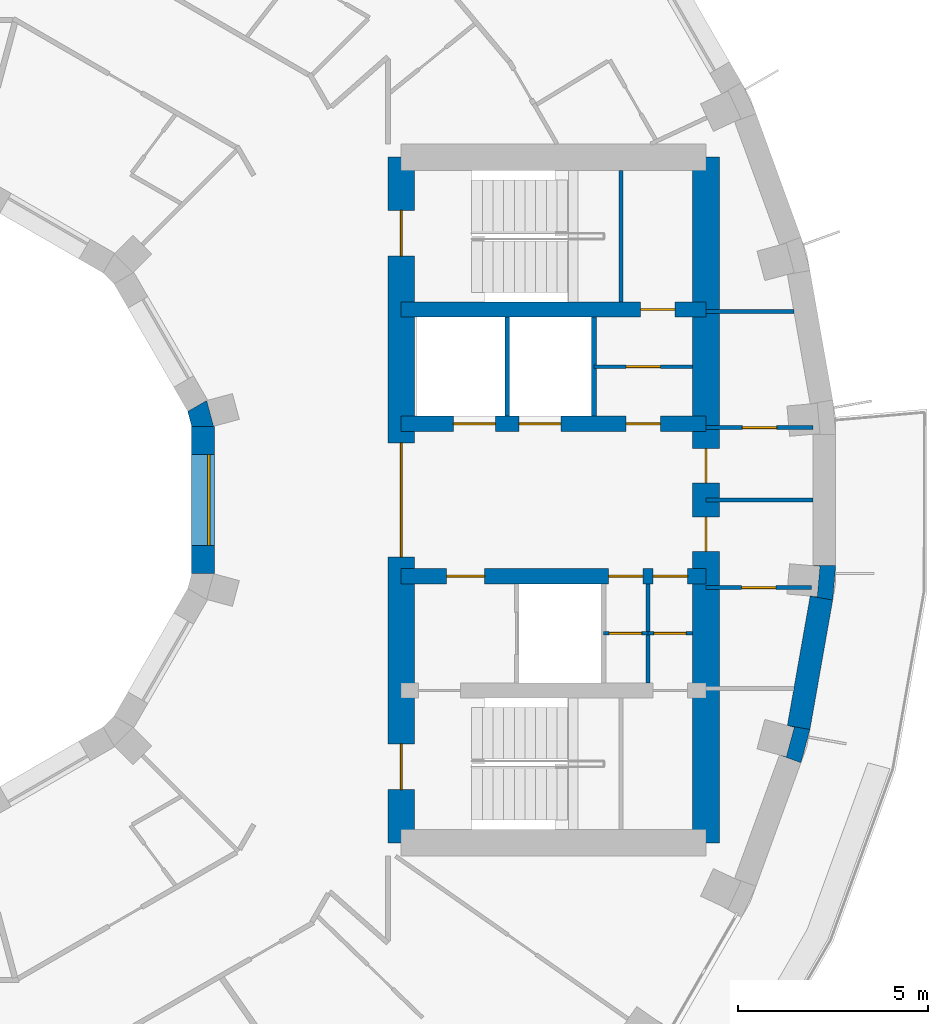
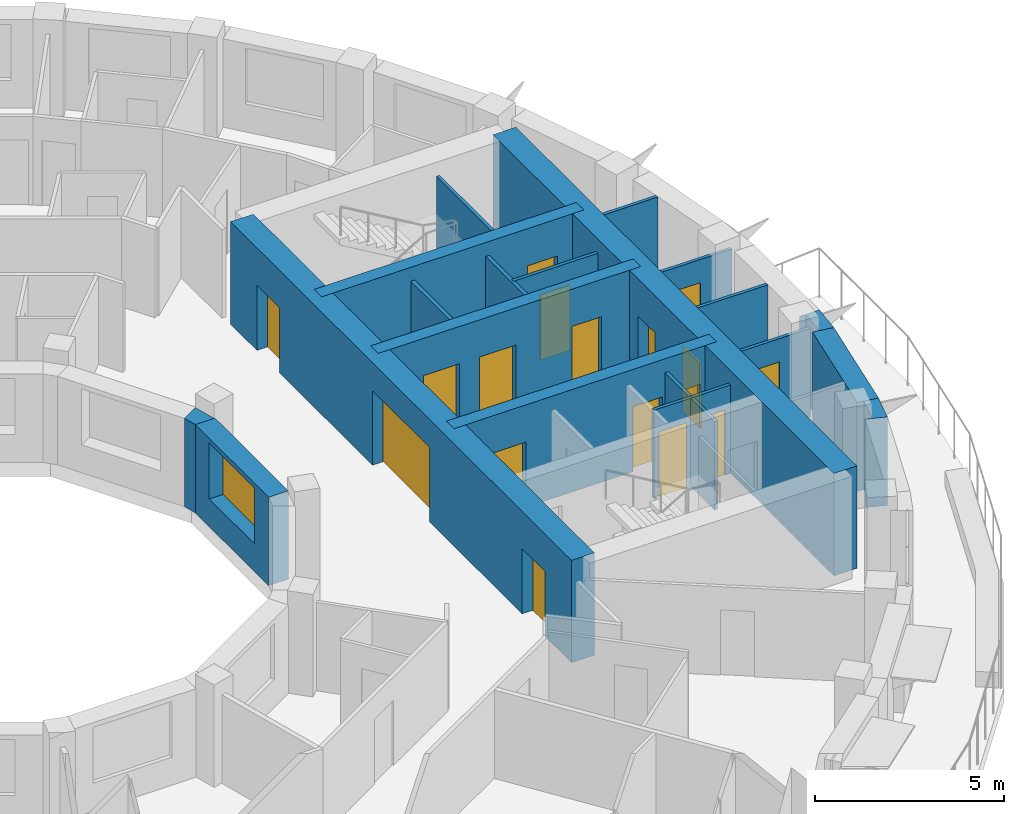
# One storey, part 9 of 14: 21 walls, 17 doors, 1 window, 18 openings.
"""IFC4 building model written with IfcOpenShell, lengths in metres."""

from ifc_helpers import new_model, si_unit, direction, frame, frame_2d, origin, place, context, subcontext, project, spatial, polyline, rectangle, outline, extrude, material, layer, layer_set, type_object, element, fill, save


model = new_model("IFC4")

# Units and contexts
model_context = context("Model", 3, precision=1e-05, world=origin(), true_north=direction((0.0, 1.0)))
body_context = subcontext(model_context, "Body", "Model", "MODEL_VIEW")
ifc_project = project(units=[si_unit("LENGTHUNIT", "METRE"), si_unit("AREAUNIT", "SQUARE_METRE"), si_unit("VOLUMEUNIT", "CUBIC_METRE"), si_unit("PLANEANGLEUNIT", "RADIAN"), si_unit("MASSUNIT", "GRAM", prefix="KILO")], contexts=[model_context])

# Site, building, storey
site_placement = place(None, origin())
site = spatial("IfcSite", under=ifc_project, at=site_placement, CompositionType="ELEMENT")
building_placement = place(site_placement, origin())
building = spatial("IfcBuilding", under=site, at=building_placement, Name="Saqina Gate Tower", CompositionType="ELEMENT")
storey_placement = place(building_placement, frame((0.0, 0.0, 177.300048828125)))
storey = spatial("IfcBuildingStorey", under=building, at=storey_placement, Name="L50", CompositionType="ELEMENT", Elevation=177.300048828125)

# Walls
ifc_material_1 = material(Name="Brick masonry (buff)", Category="masonry")
wall_type_1 = type_object("IfcWallType", Name="BRICK PIER COPING BUFF", PredefinedType="SOLIDWALL", material=ifc_material_1)
wall_1_placement = place(storey_placement, origin())
element("IfcWall", 1, at=wall_1_placement, inside=storey, type_object=wall_type_1, Name="Pier cap L50 column 35", PredefinedType="SOLIDWALL", context=body_context, shape_type="SweptSolid", body=[
    extrude(outline(polyline([(24.22705078125, -6.0234375), (23.635986328125, -5.919189453125), (23.81689453125, -5.967529296875), (23.610107421875, -6.740478515625), (23.428955078125, -6.69189453125), (23.992919921875, -6.897216796875), (24.22705078125, -6.0234375)])), origin(), (0.0, 0.0, 1.0), 2.849853515625),
])
wall_2_placement = place(storey_placement, origin())
element("IfcWall", 2, at=wall_2_placement, inside=storey, type_object=wall_type_1, Name="Pier cap L50 column 36", PredefinedType="SOLIDWALL", context=body_context, shape_type="SweptSolid", body=[
    extrude(outline(polyline([(24.825927734375, -2.6259765625), (24.90478515625, -1.724853515625), (24.304931640625, -1.724853515625), (24.491455078125, -1.7412109375), (24.421630859375, -2.5380859375), (24.235107421875, -2.521728515625), (24.825927734375, -2.6259765625)])), origin(), (0.0, 0.0, 1.0), 2.849853515625),
])
ifc_material_2 = material(Name="Gypsum board on steel studs", Category="steel")
ifc_layer_1 = layer(ifc_material_2, 0.10009765625)
ifc_layer_set_1 = layer_set([ifc_layer_1], Name="CORE PARTITION")
wall_type_2 = type_object("IfcWallType", Name="CORE PARTITION", PredefinedType="PARTITIONING", material=ifc_layer_set_1)
wall_3_placement = place(storey_placement, frame((21.5, 4.949951171875, 0.0), z_axis=(0.0, 0.0, 1.0), x_axis=(1.0, 0.0, 0.0)))
element("IfcWall", 3, at=wall_3_placement, inside=storey, type_object=wall_type_2, Name="L50-CP-E01", PredefinedType="PARTITIONING", context=body_context, shape_type="SweptSolid", body=[
    extrude(rectangle(XDim=2.306884765625, YDim=0.10009765625, at=frame_2d((1.1533203125, 0.0))), origin(), (0.0, 0.0, 1.0), 2.849853515625),
])

# Wall, opening, door
wall_4_placement = place(storey_placement, frame((21.5, 1.89990234375, 0.0), z_axis=(0.0, 0.0, 1.0), x_axis=(1.0, 0.0, 0.0)))
wall_4 = element("IfcWall", 4, at=wall_4_placement, inside=storey, type_object=wall_type_2, Name="L50-CP-E02", PredefinedType="PARTITIONING", context=body_context, shape_type="SweptSolid", body=[
    extrude(rectangle(XDim=2.804931640625, YDim=0.10009765625, at=frame_2d((1.40234375, 0.0))), origin(), (0.0, 0.0, 1.0), 2.849853515625),
])
opening_1_placement = place(wall_4_placement, frame((0.952392578125, 0.0, 0.0)))
opening_1 = element("IfcOpeningElement", 5, at=opening_1_placement, cuts=wall_4, Name="Opening G14-D94", PredefinedType="OPENING", context=body_context, shape_type="SweptSolid", body=[
    extrude(rectangle(XDim=0.89990234375, YDim=2.10009765625, at=frame_2d((0.449951171875, 1.050048828125))), frame((0.0, 0.06201171875, 0.0), z_axis=(0.0, -1.0, 0.0), x_axis=(1.0, 0.0, 0.0)), (0.0, 0.0, 1.0), 0.1240234375),
])
ifc_material_3 = material(Name="Steel-framed fire door leaf, EI 60", Category="steel")
door_type_1 = type_object("IfcDoorType", Name="SERVICE ROOM DOOR 900", OperationType="SINGLE_SWING_LEFT", PredefinedType="DOOR", material=ifc_material_3)
door_1_placement = place(opening_1_placement, origin())
door_1 = element("IfcDoor", 6, at=door_1_placement, inside=storey, type_object=door_type_1, Name="L50-CD-E05", OperationType="SINGLE_SWING_LEFT", OverallHeight=2.10009765625, OverallWidth=0.89990234375, PredefinedType="DOOR", context=body_context, shape_type="SweptSolid", body=[
    extrude(rectangle(XDim=0.89990234375, YDim=2.10009765625, at=frame_2d((0.449951171875, 1.050048828125))), frame((0.0, 0.02490234375, 0.0), z_axis=(0.0, -1.0, 0.0), x_axis=(1.0, 0.0, 0.0)), (0.0, 0.0, 1.0), 0.050048828125),
])
fill(opening_1, door_1)

wall_5_placement = place(storey_placement, frame((21.5, -2.300048828125, 0.0), z_axis=(0.0, 0.0, 1.0), x_axis=(1.0, 0.0, 0.0)))
wall_5 = element("IfcWall", 7, at=wall_5_placement, inside=storey, type_object=wall_type_2, Name="L50-CP-E04", PredefinedType="PARTITIONING", context=body_context, shape_type="SweptSolid", body=[
    extrude(rectangle(XDim=2.774169921875, YDim=0.10009765625, at=frame_2d((1.38720703125, 0.0))), origin(), (0.0, 0.0, 1.0), 2.849853515625),
])
opening_2_placement = place(wall_5_placement, frame((0.93701171875, 0.0, 0.0)))
opening_2 = element("IfcOpeningElement", 8, at=opening_2_placement, cuts=wall_5, Name="Opening G14-D96", PredefinedType="OPENING", context=body_context, shape_type="SweptSolid", body=[
    extrude(rectangle(XDim=0.89990234375, YDim=2.10009765625, at=frame_2d((0.449951171875, 1.050048828125))), frame((0.0, 0.06201171875, 0.0), z_axis=(0.0, -1.0, 0.0), x_axis=(1.0, 0.0, 0.0)), (0.0, 0.0, 1.0), 0.1240234375),
])
door_2_placement = place(opening_2_placement, frame((0.89990234375, 0.0, 0.0), z_axis=(0.0, 0.0, 1.0), x_axis=(-1.0, 0.0, 0.0)))
door_2 = element("IfcDoor", 9, at=door_2_placement, inside=storey, type_object=door_type_1, Name="L50-CD-E07", OperationType="SINGLE_SWING_RIGHT", OverallHeight=2.10009765625, OverallWidth=0.89990234375, PredefinedType="DOOR", context=body_context, shape_type="SweptSolid", body=[
    extrude(rectangle(XDim=0.89990234375, YDim=2.10009765625, at=frame_2d((0.449951171875, 1.050048828125))), frame((0.0, 0.02490234375, 0.0), z_axis=(0.0, -1.0, 0.0), x_axis=(1.0, 0.0, 0.0)), (0.0, 0.0, 1.0), 0.050048828125),
])
fill(opening_2, door_2)

# Walls
wall_6_placement = place(storey_placement, frame((21.5, 0.0, 0.0), z_axis=(0.0, 0.0, 1.0), x_axis=(1.0, 0.0, 0.0)))
element("IfcWall", 10, at=wall_6_placement, inside=storey, type_object=wall_type_2, Name="L50-CP-E05", PredefinedType="PARTITIONING", context=body_context, shape_type="SweptSolid", body=[
    extrude(rectangle(XDim=2.804931640625, YDim=0.10009765625, at=frame_2d((1.40234375, 0.0))), origin(), (0.0, 0.0, 1.0), 2.849853515625),
])
wall_7_placement = place(storey_placement, frame((19.97998046875, -4.800048828125, 0.0), z_axis=(0.0, 0.0, 1.0), x_axis=(0.0, 1.0, 0.0)))
element("IfcWall", 11, at=wall_7_placement, inside=storey, type_object=wall_type_2, Name="L50-CP-E10", PredefinedType="PARTITIONING", context=body_context, shape_type="SweptSolid", body=[
    extrude(rectangle(XDim=2.60009765625, YDim=0.10009765625, at=frame_2d((1.300048828125, 0.0))), origin(), (0.0, 0.0, 1.0), 2.849853515625),
])

# Wall, opening, door
wall_8_placement = place(storey_placement, frame((18.56005859375, 3.5, 0.0), z_axis=(0.0, 0.0, 1.0), x_axis=(1.0, 0.0, 0.0)))
wall_8 = element("IfcWall", 12, at=wall_8_placement, inside=storey, type_object=wall_type_2, Name="L50-CP-E11", PredefinedType="PARTITIONING", context=body_context, shape_type="SweptSolid", body=[
    extrude(rectangle(XDim=2.58984375, YDim=0.10009765625, at=frame_2d((1.294921875, 0.0))), origin(), (0.0, 0.0, 1.0), 2.849853515625),
])
opening_3_placement = place(wall_8_placement, frame((0.844970703125, 0.0, 0.0)))
opening_3 = element("IfcOpeningElement", 13, at=opening_3_placement, cuts=wall_8, Name="Opening G14-D98", PredefinedType="OPENING", context=body_context, shape_type="SweptSolid", body=[
    extrude(rectangle(XDim=0.89990234375, YDim=2.10009765625, at=frame_2d((0.449951171875, 1.050048828125))), frame((0.0, 0.06201171875, 0.0), z_axis=(0.0, -1.0, 0.0), x_axis=(1.0, 0.0, 0.0)), (0.0, 0.0, 1.0), 0.1240234375),
])
door_3_placement = place(opening_3_placement, origin())
door_3 = element("IfcDoor", 14, at=door_3_placement, inside=storey, type_object=door_type_1, Name="L50-CD-E09", OperationType="SINGLE_SWING_RIGHT", OverallHeight=2.10009765625, OverallWidth=0.89990234375, PredefinedType="DOOR", context=body_context, shape_type="SweptSolid", body=[
    extrude(rectangle(XDim=0.89990234375, YDim=2.10009765625, at=frame_2d((0.449951171875, 1.050048828125))), frame((0.0, 0.02490234375, 0.0), z_axis=(0.0, -1.0, 0.0), x_axis=(1.0, 0.0, 0.0)), (0.0, 0.0, 1.0), 0.050048828125),
])
fill(opening_3, door_3)

wall_9_placement = place(storey_placement, frame((18.81005859375, -3.5, 0.0), z_axis=(0.0, 0.0, 1.0), x_axis=(1.0, 0.0, 0.0)))
wall_9 = element("IfcWall", 15, at=wall_9_placement, inside=storey, type_object=wall_type_2, Name="L50-CP-E12", PredefinedType="PARTITIONING", context=body_context, shape_type="SweptSolid", body=[
    extrude(rectangle(XDim=1.169921875, YDim=0.10009765625, at=frame_2d((0.5849609375, 0.0))), origin(), (0.0, 0.0, 1.0), 2.849853515625),
])
opening_4_placement = place(wall_9_placement, frame((0.14990234375, 0.0, 0.0)))
opening_4 = element("IfcOpeningElement", 16, at=opening_4_placement, cuts=wall_9, Name="Opening G14-D100", PredefinedType="OPENING", context=body_context, shape_type="SweptSolid", body=[
    extrude(rectangle(XDim=0.85009765625, YDim=2.10009765625, at=frame_2d((0.425048828125, 1.050048828125))), frame((0.0, 0.06201171875, 0.0), z_axis=(0.0, -1.0, 0.0), x_axis=(1.0, 0.0, 0.0)), (0.0, 0.0, 1.0), 0.1240234375),
])
ifc_material_4 = material(Name="Steel-framed fire door leaf, EI 60", Category="steel")
door_type_2 = type_object("IfcDoorType", Name="SERVICE ROOM DOOR 850", OperationType="SINGLE_SWING_LEFT", PredefinedType="DOOR", material=ifc_material_4)
door_4_placement = place(opening_4_placement, frame((0.85009765625, 0.0, 0.0), z_axis=(0.0, 0.0, 1.0), x_axis=(-1.0, 0.0, 0.0)))
door_4 = element("IfcDoor", 17, at=door_4_placement, inside=storey, type_object=door_type_2, Name="L50-CD-E11", OperationType="SINGLE_SWING_RIGHT", OverallHeight=2.10009765625, OverallWidth=0.85009765625, PredefinedType="DOOR", context=body_context, shape_type="SweptSolid", body=[
    extrude(rectangle(XDim=0.85009765625, YDim=2.10009765625, at=frame_2d((0.425048828125, 1.050048828125))), frame((0.0, 0.02490234375, 0.0), z_axis=(0.0, -1.0, 0.0), x_axis=(1.0, 0.0, 0.0)), (0.0, 0.0, 1.0), 0.050048828125),
])
fill(opening_4, door_4)

wall_10_placement = place(storey_placement, frame((19.97998046875, -3.5, 0.0), z_axis=(0.0, 0.0, 1.0), x_axis=(1.0, 0.0, 0.0)))
wall_10 = element("IfcWall", 18, at=wall_10_placement, inside=storey, type_object=wall_type_2, Name="L50-CP-E13", PredefinedType="PARTITIONING", context=body_context, shape_type="SweptSolid", body=[
    extrude(rectangle(XDim=1.169921875, YDim=0.10009765625, at=frame_2d((0.5849609375, 0.0))), origin(), (0.0, 0.0, 1.0), 2.849853515625),
])
opening_5_placement = place(wall_10_placement, frame((0.14990234375, 0.0, 0.0)))
opening_5 = element("IfcOpeningElement", 19, at=opening_5_placement, cuts=wall_10, Name="Opening G14-D101", PredefinedType="OPENING", context=body_context, shape_type="SweptSolid", body=[
    extrude(rectangle(XDim=0.85009765625, YDim=2.10009765625, at=frame_2d((0.425048828125, 1.050048828125))), frame((0.0, 0.06201171875, 0.0), z_axis=(0.0, -1.0, 0.0), x_axis=(1.0, 0.0, 0.0)), (0.0, 0.0, 1.0), 0.1240234375),
])
door_5_placement = place(opening_5_placement, frame((0.85009765625, 0.0, 0.0), z_axis=(0.0, 0.0, 1.0), x_axis=(-1.0, 0.0, 0.0)))
door_5 = element("IfcDoor", 20, at=door_5_placement, inside=storey, type_object=door_type_2, Name="L50-CD-E12", OperationType="SINGLE_SWING_LEFT", OverallHeight=2.10009765625, OverallWidth=0.85009765625, PredefinedType="DOOR", context=body_context, shape_type="SweptSolid", body=[
    extrude(rectangle(XDim=0.85009765625, YDim=2.10009765625, at=frame_2d((0.425048828125, 1.050048828125))), frame((0.0, 0.02490234375, 0.0), z_axis=(0.0, -1.0, 0.0), x_axis=(1.0, 0.0, 0.0)), (0.0, 0.0, 1.0), 0.050048828125),
])
fill(opening_5, door_5)

# Wall
ifc_material_5 = material(Name="Glazed ceramic tile", Category="ceramic")
ifc_layer_2 = layer(ifc_material_5, 0.60009765625)
ifc_layer_set_2 = layer_set([ifc_layer_2], Name="FW-TILE")
wall_type_3 = type_object("IfcWallType", Name="FW-TILE", PredefinedType="SOLIDWALL", material=ifc_layer_set_2)
wall_11_placement = place(storey_placement, frame((23.931640625, -5.97119140625, 0.0), z_axis=(0.0, 0.0, 1.0), x_axis=(0.173607684551, 0.984814892183, 0.0)))
element("IfcWall", 21, at=wall_11_placement, inside=storey, type_object=wall_type_3, Name="Facade wall L50 facet 35", PredefinedType="SOLIDWALL", context=body_context, shape_type="SweptSolid", body=[
    extrude(rectangle(XDim=3.44970703125, YDim=0.60009765625, at=frame_2d((1.724853515625, 0.0))), origin(), (0.0, 0.0, 1.0), 2.849853515625),
])

# Wall, opening, window
ifc_material_6 = material(Name="Glazed ceramic tile", Category="ceramic")
ifc_layer_3 = layer(ifc_material_6, 0.60009765625)
ifc_layer_set_3 = layer_set([ifc_layer_3], Name="IW-TILE")
wall_type_4 = type_object("IfcWallType", Name="IW-TILE", PredefinedType="SOLIDWALL", material=ifc_layer_set_3)
wall_12_placement = place(storey_placement, frame((8.300048828125, -1.934814453125, 0.0), z_axis=(0.0, 0.0, 1.0), x_axis=(0.0, 1.0, 0.0)))
wall_12 = element("IfcWall", 22, at=wall_12_placement, inside=storey, type_object=wall_type_4, Name="Well wall L50 facet 12", PredefinedType="SOLIDWALL", context=body_context, shape_type="SweptSolid", body=[
    extrude(rectangle(XDim=3.86962890625, YDim=0.60009765625, at=frame_2d((1.934814453125, 0.0))), origin(), (0.0, 0.0, 1.0), 2.849853515625),
])
opening_6_placement = place(wall_12_placement, frame((0.73486328125, 0.0, 0.89990234375)))
opening_6 = element("IfcOpeningElement", 23, at=opening_6_placement, cuts=wall_12, Name="Opening G14-W35", PredefinedType="OPENING", context=body_context, shape_type="SweptSolid", body=[
    extrude(rectangle(XDim=2.39990234375, YDim=1.800048828125, at=frame_2d((1.199951171875, 0.89990234375))), frame((0.0, 0.31201171875, 0.0), z_axis=(0.0, -1.0, 0.0), x_axis=(1.0, 0.0, 0.0)), (0.0, 0.0, 1.0), 0.6240234375),
])
ifc_material_7 = material(Name="Aluminium glazing", Category="aluminium")
window_type = type_object("IfcWindowType", Name="WN-W", PartitioningType="SINGLE_PANEL", PredefinedType="WINDOW", material=ifc_material_7)
window_placement = place(opening_6_placement, origin())
window = element("IfcWindow", 24, at=window_placement, inside=storey, type_object=window_type, Name="Well window L50 facet 12", OverallHeight=1.800048828125, OverallWidth=2.39990234375, PartitioningType="SINGLE_PANEL", PredefinedType="WINDOW", context=body_context, shape_type="SweptSolid", body=[
    extrude(rectangle(XDim=2.39990234375, YDim=1.800048828125, at=frame_2d((1.199951171875, 0.89990234375))), frame((0.0, -0.119873046875, 0.0), z_axis=(0.0, -1.0, 0.0), x_axis=(1.0, 0.0, 0.0)), (0.0, 0.0, 1.0), 0.06005859375),
])
fill(opening_6, window)

# Walls
ifc_material_8 = material(Name="Autoclaved aerated concrete block", Category="concrete")
ifc_layer_4 = layer(ifc_material_8, 0.1201171875)
ifc_layer_set_4 = layer_set([ifc_layer_4], Name="SHAFT PARTITION")
wall_type_5 = type_object("IfcWallType", Name="SHAFT PARTITION", PredefinedType="PARTITIONING", material=ifc_layer_set_4)
for number, where, z_axis, x_axis, name in (
    (25, (16.280029296875, 2.199951171875, 0.0), (0.0, 0.0, 1.0), (0.0, 1.0, 0.0), "L50-CP-E06"),
    (26, (18.56005859375, 2.199951171875, 0.0), (0.0, 0.0, 1.0), (0.0, 1.0, 0.0), "L50-CP-E07"),
):
    element("IfcWall", number, at=place(storey_placement, frame(where, z_axis=z_axis, x_axis=x_axis)), inside=storey, type_object=wall_type_5, Name=name, PredefinedType="PARTITIONING", context=body_context, shape_type="SweptSolid", body=[
        extrude(rectangle(XDim=2.60009765625, YDim=0.1201171875, at=frame_2d((1.300048828125, 0.0))), origin(), (0.0, 0.0, 1.0), 2.849853515625),
    ])
ifc_material_9 = material(Name="Autoclaved aerated concrete block", Category="concrete")
ifc_layer_5 = layer(ifc_material_9, 0.10009765625)
ifc_layer_set_5 = layer_set([ifc_layer_5], Name="STAIR ENCLOSURE WALL")
wall_type_6 = type_object("IfcWallType", Name="STAIR ENCLOSURE WALL", PredefinedType="PARTITIONING", material=ifc_layer_set_5)
wall_13_placement = place(storey_placement, frame((19.27001953125, 5.199951171875, 0.0), z_axis=(0.0, 0.0, 1.0), x_axis=(0.0, 1.0, 0.0)))
element("IfcWall", 27, at=wall_13_placement, inside=storey, type_object=wall_type_6, Name="L50-CP-E14", PredefinedType="PARTITIONING", context=body_context, shape_type="SweptSolid", body=[
    extrude(rectangle(XDim=3.449951171875, YDim=0.10009765625, at=frame_2d((1.72509765625, 0.0))), origin(), (0.0, 0.0, 1.0), 2.849853515625),
])

# Wall, opening, door
ifc_material_10 = material(Name="Concrete C60/75", Category="concrete")
ifc_layer_6 = layer(ifc_material_10, 0.39990234375)
ifc_layer_set_6 = layer_set([ifc_layer_6], Name="Concrete C60/75")
wall_type_7 = type_object("IfcWallType", Name="STR-CORE WALL-C-I", PredefinedType="SHEAR", material=ifc_layer_set_6)
wall_14_placement = place(storey_placement, frame((13.5, 5.0, 0.0), z_axis=(0.0, 0.0, 1.0), x_axis=(1.0, 0.0, 0.0)))
wall_14 = element("IfcWall", 28, at=wall_14_placement, inside=storey, type_object=wall_type_7, Name="CORE WALL L50 E-X1", PredefinedType="SHEAR", context=body_context, shape_type="SweptSolid", body=[
    extrude(rectangle(XDim=8.0, YDim=0.39990234375, at=frame_2d((4.0, 0.0))), origin(), (0.0, 0.0, 1.0), 3.300048828125),
])
opening_7_placement = place(wall_14_placement, frame((6.284912109375, 0.0, 0.0)))
opening_7 = element("IfcOpeningElement", 29, at=opening_7_placement, cuts=wall_14, Name="Opening G14-D99", PredefinedType="OPENING", context=body_context, shape_type="SweptSolid", body=[
    extrude(rectangle(XDim=0.89990234375, YDim=2.10009765625, at=frame_2d((0.449951171875, 1.050048828125))), frame((0.0, 0.2119140625, 0.0), z_axis=(0.0, -1.0, 0.0), x_axis=(1.0, 0.0, 0.0)), (0.0, 0.0, 1.0), 0.423828125),
])
door_6_placement = place(opening_7_placement, origin())
door_6 = element("IfcDoor", 30, at=door_6_placement, inside=storey, type_object=door_type_1, Name="L50-CD-E10", OperationType="SINGLE_SWING_RIGHT", OverallHeight=2.10009765625, OverallWidth=0.89990234375, PredefinedType="DOOR", context=body_context, shape_type="SweptSolid", body=[
    extrude(rectangle(XDim=0.89990234375, YDim=2.10009765625, at=frame_2d((0.449951171875, 1.050048828125))), frame((0.0, 0.02490234375, 0.0), z_axis=(0.0, -1.0, 0.0), x_axis=(1.0, 0.0, 0.0)), (0.0, 0.0, 1.0), 0.050048828125),
])
fill(opening_7, door_6)

# Wall, openings, doors
wall_15_placement = place(storey_placement, frame((13.5, 2.0, 0.0), z_axis=(0.0, 0.0, 1.0), x_axis=(1.0, 0.0, 0.0)))
wall_15 = element("IfcWall", 31, at=wall_15_placement, inside=storey, type_object=wall_type_7, Name="CORE WALL L50 E-L1", PredefinedType="SHEAR", context=body_context, shape_type="SweptSolid", body=[
    extrude(rectangle(XDim=8.0, YDim=0.39990234375, at=frame_2d((4.0, 0.0))), origin(), (0.0, 0.0, 1.0), 3.300048828125),
])
opening_8_placement = place(wall_15_placement, frame((1.3701171875, 0.0, 0.0)))
opening_8 = element("IfcOpeningElement", 32, at=opening_8_placement, cuts=wall_15, Name="Opening G14-LD1", PredefinedType="OPENING", context=body_context, shape_type="SweptSolid", body=[
    extrude(rectangle(XDim=1.10009765625, YDim=2.10009765625, at=frame_2d((0.550048828125, 1.050048828125))), frame((0.0, 0.2119140625, 0.0), z_axis=(0.0, -1.0, 0.0), x_axis=(1.0, 0.0, 0.0)), (0.0, 0.0, 1.0), 0.423828125),
])
opening_9_placement = place(wall_15_placement, frame((3.090087890625, 0.0, 0.0)))
opening_9 = element("IfcOpeningElement", 33, at=opening_9_placement, cuts=wall_15, Name="Opening G14-LD2", PredefinedType="OPENING", context=body_context, shape_type="SweptSolid", body=[
    extrude(rectangle(XDim=1.10009765625, YDim=2.10009765625, at=frame_2d((0.550048828125, 1.050048828125))), frame((0.0, 0.2119140625, 0.0), z_axis=(0.0, -1.0, 0.0), x_axis=(1.0, 0.0, 0.0)), (0.0, 0.0, 1.0), 0.423828125),
])
opening_10_placement = place(wall_15_placement, frame((5.905029296875, 0.0, 0.0)))
opening_10 = element("IfcOpeningElement", 34, at=opening_10_placement, cuts=wall_15, Name="Opening G14-D90", PredefinedType="OPENING", context=body_context, shape_type="SweptSolid", body=[
    extrude(rectangle(XDim=0.89990234375, YDim=2.10009765625, at=frame_2d((0.449951171875, 1.050048828125))), frame((0.0, 0.2119140625, 0.0), z_axis=(0.0, -1.0, 0.0), x_axis=(1.0, 0.0, 0.0)), (0.0, 0.0, 1.0), 0.423828125),
])
ifc_material_11 = material(Name="Stainless steel", Category="steel")
door_type_3 = type_object("IfcDoorType", Name="LANDING DOOR", OperationType="DOUBLE_DOOR_SLIDING", PredefinedType="DOOR", material=ifc_material_11)
door_7_placement = place(opening_8_placement, origin())
door_7 = element("IfcDoor", 35, at=door_7_placement, inside=storey, type_object=door_type_3, Name="LANDING DOOR HR1", OperationType="DOUBLE_DOOR_SLIDING", OverallHeight=2.10009765625, OverallWidth=1.10009765625, PredefinedType="DOOR", context=body_context, shape_type="SweptSolid", body=[
    extrude(rectangle(XDim=1.10009765625, YDim=2.10009765625, at=frame_2d((0.550048828125, 1.050048828125))), frame((0.0, 0.02490234375, 0.0), z_axis=(0.0, -1.0, 0.0), x_axis=(1.0, 0.0, 0.0)), (0.0, 0.0, 1.0), 0.050048828125),
])
fill(opening_8, door_7)
door_8_placement = place(opening_9_placement, origin())
door_8 = element("IfcDoor", 36, at=door_8_placement, inside=storey, type_object=door_type_3, Name="LANDING DOOR HR2", OperationType="DOUBLE_DOOR_SLIDING", OverallHeight=2.10009765625, OverallWidth=1.10009765625, PredefinedType="DOOR", context=body_context, shape_type="SweptSolid", body=[
    extrude(rectangle(XDim=1.10009765625, YDim=2.10009765625, at=frame_2d((0.550048828125, 1.050048828125))), frame((0.0, 0.02490234375, 0.0), z_axis=(0.0, -1.0, 0.0), x_axis=(1.0, 0.0, 0.0)), (0.0, 0.0, 1.0), 0.050048828125),
])
fill(opening_9, door_8)
door_9_placement = place(opening_10_placement, origin())
door_9 = element("IfcDoor", 37, at=door_9_placement, inside=storey, type_object=door_type_1, Name="L50-CD-E01", OperationType="SINGLE_SWING_RIGHT", OverallHeight=2.10009765625, OverallWidth=0.89990234375, PredefinedType="DOOR", context=body_context, shape_type="SweptSolid", body=[
    extrude(rectangle(XDim=0.89990234375, YDim=2.10009765625, at=frame_2d((0.449951171875, 1.050048828125))), frame((0.0, 0.02490234375, 0.0), z_axis=(0.0, -1.0, 0.0), x_axis=(1.0, 0.0, 0.0)), (0.0, 0.0, 1.0), 0.050048828125),
])
fill(opening_10, door_9)

wall_16_placement = place(storey_placement, frame((13.5, -2.0, 0.0), z_axis=(0.0, 0.0, 1.0), x_axis=(1.0, 0.0, 0.0)))
wall_16 = element("IfcWall", 38, at=wall_16_placement, inside=storey, type_object=wall_type_7, Name="CORE WALL L50 E-L2", PredefinedType="SHEAR", context=body_context, shape_type="SweptSolid", body=[
    extrude(rectangle(XDim=8.0, YDim=0.39990234375, at=frame_2d((4.0, 0.0))), origin(), (0.0, 0.0, 1.0), 3.300048828125),
])
opening_11_placement = place(wall_16_placement, frame((1.18994140625, 0.0, 0.0)))
opening_11 = element("IfcOpeningElement", 39, at=opening_11_placement, cuts=wall_16, Name="Opening G14-D91", PredefinedType="OPENING", context=body_context, shape_type="SweptSolid", body=[
    extrude(rectangle(XDim=1.0, YDim=2.10009765625, at=frame_2d((0.5, 1.050048828125))), frame((0.0, 0.2119140625, 0.0), z_axis=(0.0, -1.0, 0.0), x_axis=(1.0, 0.0, 0.0)), (0.0, 0.0, 1.0), 0.423828125),
])
opening_12_placement = place(wall_16_placement, frame((5.445068359375, 0.0, 0.0)))
opening_12 = element("IfcOpeningElement", 40, at=opening_12_placement, cuts=wall_16, Name="Opening G14-D92", PredefinedType="OPENING", context=body_context, shape_type="SweptSolid", body=[
    extrude(rectangle(XDim=0.89990234375, YDim=2.10009765625, at=frame_2d((0.449951171875, 1.050048828125))), frame((0.0, 0.2119140625, 0.0), z_axis=(0.0, -1.0, 0.0), x_axis=(1.0, 0.0, 0.0)), (0.0, 0.0, 1.0), 0.423828125),
])
opening_13_placement = place(wall_16_placement, frame((6.614990234375, 0.0, 0.0)))
opening_13 = element("IfcOpeningElement", 41, at=opening_13_placement, cuts=wall_16, Name="Opening G14-D93", PredefinedType="OPENING", context=body_context, shape_type="SweptSolid", body=[
    extrude(rectangle(XDim=0.89990234375, YDim=2.10009765625, at=frame_2d((0.449951171875, 1.050048828125))), frame((0.0, 0.2119140625, 0.0), z_axis=(0.0, -1.0, 0.0), x_axis=(1.0, 0.0, 0.0)), (0.0, 0.0, 1.0), 0.423828125),
])
ifc_material_12 = material(Name="Steel", Category="steel")
door_type_4 = type_object("IfcDoorType", Name="FIRE LOBBY DOOR EI 60", OperationType="SINGLE_SWING_LEFT", PredefinedType="DOOR", material=ifc_material_12)
door_10_placement = place(opening_11_placement, origin())
door_10 = element("IfcDoor", 42, at=door_10_placement, inside=storey, type_object=door_type_4, Name="L50-CD-E02", OperationType="SINGLE_SWING_LEFT", OverallHeight=2.10009765625, OverallWidth=1.0, PredefinedType="DOOR", context=body_context, shape_type="SweptSolid", body=[
    extrude(rectangle(XDim=1.0, YDim=2.10009765625, at=frame_2d((0.5, 1.050048828125))), frame((0.0, 0.02490234375, 0.0), z_axis=(0.0, -1.0, 0.0), x_axis=(1.0, 0.0, 0.0)), (0.0, 0.0, 1.0), 0.050048828125),
])
fill(opening_11, door_10)
door_11_placement = place(opening_12_placement, frame((0.89990234375, 0.0, 0.0), z_axis=(0.0, 0.0, 1.0), x_axis=(-1.0, 0.0, 0.0)))
door_11 = element("IfcDoor", 43, at=door_11_placement, inside=storey, type_object=door_type_1, Name="L50-CD-E03", OperationType="SINGLE_SWING_RIGHT", OverallHeight=2.10009765625, OverallWidth=0.89990234375, PredefinedType="DOOR", context=body_context, shape_type="SweptSolid", body=[
    extrude(rectangle(XDim=0.89990234375, YDim=2.10009765625, at=frame_2d((0.449951171875, 1.050048828125))), frame((0.0, 0.02490234375, 0.0), z_axis=(0.0, -1.0, 0.0), x_axis=(1.0, 0.0, 0.0)), (0.0, 0.0, 1.0), 0.050048828125),
])
fill(opening_12, door_11)
door_12_placement = place(opening_13_placement, frame((0.89990234375, 0.0, 0.0), z_axis=(0.0, 0.0, 1.0), x_axis=(-1.0, 0.0, 0.0)))
door_12 = element("IfcDoor", 44, at=door_12_placement, inside=storey, type_object=door_type_1, Name="L50-CD-E04", OperationType="SINGLE_SWING_LEFT", OverallHeight=2.10009765625, OverallWidth=0.89990234375, PredefinedType="DOOR", context=body_context, shape_type="SweptSolid", body=[
    extrude(rectangle(XDim=0.89990234375, YDim=2.10009765625, at=frame_2d((0.449951171875, 1.050048828125))), frame((0.0, 0.02490234375, 0.0), z_axis=(0.0, -1.0, 0.0), x_axis=(1.0, 0.0, 0.0)), (0.0, 0.0, 1.0), 0.050048828125),
])
fill(opening_13, door_12)

ifc_material_13 = material(Name="Concrete C60/75", Category="concrete")
ifc_layer_7 = layer(ifc_material_13, 0.699951171875)
ifc_layer_set_7 = layer_set([ifc_layer_7], Name="Concrete C60/75")
wall_type_8 = type_object("IfcWallType", Name="STR-CORE WALL-C-O", PredefinedType="SHEAR", material=ifc_layer_set_7)
wall_17_placement = place(storey_placement, frame((13.5, -9.0, 0.0), z_axis=(0.0, 0.0, 1.0), x_axis=(0.0, 1.0, 0.0)))
wall_17 = element("IfcWall", 45, at=wall_17_placement, inside=storey, type_object=wall_type_8, Name="CORE WALL L50 E-W1", PredefinedType="SHEAR", context=body_context, shape_type="SweptSolid", body=[
    extrude(rectangle(XDim=18.0, YDim=0.699951171875, at=frame_2d((9.0, 0.0))), origin(), (0.0, 0.0, 1.0), 3.300048828125),
])
opening_14_placement = place(wall_17_placement, frame((15.39990234375, 0.0, 0.0)))
opening_14 = element("IfcOpeningElement", 46, at=opening_14_placement, cuts=wall_17, Name="Opening G14-D104", PredefinedType="OPENING", context=body_context, shape_type="SweptSolid", body=[
    extrude(rectangle(XDim=1.199951171875, YDim=2.10009765625, at=frame_2d((0.60009765625, 1.050048828125))), frame((0.0, 0.362060546875, 0.0), z_axis=(0.0, -1.0, 0.0), x_axis=(1.0, 0.0, 0.0)), (0.0, 0.0, 1.0), 0.723876953125),
])
opening_15_placement = place(wall_17_placement, frame((1.39990234375, 0.0, 0.0)))
opening_15 = element("IfcOpeningElement", 47, at=opening_15_placement, cuts=wall_17, Name="Opening G14-D105", PredefinedType="OPENING", context=body_context, shape_type="SweptSolid", body=[
    extrude(rectangle(XDim=1.199951171875, YDim=2.10009765625, at=frame_2d((0.60009765625, 1.050048828125))), frame((0.0, 0.362060546875, 0.0), z_axis=(0.0, -1.0, 0.0), x_axis=(1.0, 0.0, 0.0)), (0.0, 0.0, 1.0), 0.723876953125),
])
opening_16_placement = place(wall_17_placement, frame((7.5, 0.0, 0.0)))
opening_16 = element("IfcOpeningElement", 48, at=opening_16_placement, cuts=wall_17, Name="Opening G14-D106", PredefinedType="OPENING", context=body_context, shape_type="SweptSolid", body=[
    extrude(rectangle(XDim=3.0, YDim=2.39990234375, at=frame_2d((1.5, 1.199951171875))), frame((0.0, 0.362060546875, 0.0), z_axis=(0.0, -1.0, 0.0), x_axis=(1.0, 0.0, 0.0)), (0.0, 0.0, 1.0), 0.723876953125),
])
ifc_material_14 = material(Name="Steel", Category="steel")
door_type_5 = type_object("IfcDoorType", Name="FIRE DOOR EI 60", OperationType="SINGLE_SWING_LEFT", PredefinedType="DOOR", material=ifc_material_14)
door_13_placement = place(opening_14_placement, frame((1.199951171875, 0.0, 0.0), z_axis=(0.0, 0.0, 1.0), x_axis=(-1.0, 0.0, 0.0)))
door_13 = element("IfcDoor", 49, at=door_13_placement, inside=storey, type_object=door_type_5, Name="L50-CD-E15", OperationType="SINGLE_SWING_LEFT", OverallHeight=2.10009765625, OverallWidth=1.199951171875, PredefinedType="DOOR", context=body_context, shape_type="SweptSolid", body=[
    extrude(rectangle(XDim=1.199951171875, YDim=2.10009765625, at=frame_2d((0.60009765625, 1.050048828125))), frame((0.0, 0.02490234375, 0.0), z_axis=(0.0, -1.0, 0.0), x_axis=(1.0, 0.0, 0.0)), (0.0, 0.0, 1.0), 0.050048828125),
])
fill(opening_14, door_13)
door_14_placement = place(opening_15_placement, frame((1.199951171875, 0.0, 0.0), z_axis=(0.0, 0.0, 1.0), x_axis=(-1.0, 0.0, 0.0)))
door_14 = element("IfcDoor", 50, at=door_14_placement, inside=storey, type_object=door_type_5, Name="L50-CD-E16", OperationType="SINGLE_SWING_RIGHT", OverallHeight=2.10009765625, OverallWidth=1.199951171875, PredefinedType="DOOR", context=body_context, shape_type="SweptSolid", body=[
    extrude(rectangle(XDim=1.199951171875, YDim=2.10009765625, at=frame_2d((0.60009765625, 1.050048828125))), frame((0.0, 0.02490234375, 0.0), z_axis=(0.0, -1.0, 0.0), x_axis=(1.0, 0.0, 0.0)), (0.0, 0.0, 1.0), 0.050048828125),
])
fill(opening_15, door_14)
ifc_material_15 = material(Name="Steel and fire-resisting glass", Category="steel")
door_type_6 = type_object("IfcDoorType", Name="LOBBY SCREEN DOOR", OperationType="DOUBLE_DOOR_SLIDING", PredefinedType="DOOR", material=ifc_material_15)
door_15_placement = place(opening_16_placement, origin())
door_15 = element("IfcDoor", 51, at=door_15_placement, inside=storey, type_object=door_type_6, Name="L50-CD-E17", OperationType="DOUBLE_DOOR_SLIDING", OverallHeight=2.39990234375, OverallWidth=3.0, PredefinedType="DOOR", context=body_context, shape_type="SweptSolid", body=[
    extrude(rectangle(XDim=3.0, YDim=2.39990234375, at=frame_2d((1.5, 1.199951171875))), frame((0.0, 0.02490234375, 0.0), z_axis=(0.0, -1.0, 0.0), x_axis=(1.0, 0.0, 0.0)), (0.0, 0.0, 1.0), 0.050048828125),
])
fill(opening_16, door_15)

wall_18_placement = place(storey_placement, frame((21.5, -9.0, 0.0), z_axis=(0.0, 0.0, 1.0), x_axis=(0.0, 1.0, 0.0)))
wall_18 = element("IfcWall", 52, at=wall_18_placement, inside=storey, type_object=wall_type_8, Name="CORE WALL L50 E-W2", PredefinedType="SHEAR", context=body_context, shape_type="SweptSolid", body=[
    extrude(rectangle(XDim=18.0, YDim=0.699951171875, at=frame_2d((9.0, 0.0))), origin(), (0.0, 0.0, 1.0), 3.300048828125),
])
opening_17_placement = place(wall_18_placement, frame((9.449951171875, 0.0, 0.0)))
opening_17 = element("IfcOpeningElement", 53, at=opening_17_placement, cuts=wall_18, Name="Opening G14-D95", PredefinedType="OPENING", context=body_context, shape_type="SweptSolid", body=[
    extrude(rectangle(XDim=0.89990234375, YDim=2.10009765625, at=frame_2d((0.449951171875, 1.050048828125))), frame((0.0, 0.362060546875, 0.0), z_axis=(0.0, -1.0, 0.0), x_axis=(1.0, 0.0, 0.0)), (0.0, 0.0, 1.0), 0.723876953125),
])
opening_18_placement = place(wall_18_placement, frame((7.64990234375, 0.0, 0.0)))
opening_18 = element("IfcOpeningElement", 54, at=opening_18_placement, cuts=wall_18, Name="Opening G14-D97", PredefinedType="OPENING", context=body_context, shape_type="SweptSolid", body=[
    extrude(rectangle(XDim=0.89990234375, YDim=2.10009765625, at=frame_2d((0.449951171875, 1.050048828125))), frame((0.0, 0.362060546875, 0.0), z_axis=(0.0, -1.0, 0.0), x_axis=(1.0, 0.0, 0.0)), (0.0, 0.0, 1.0), 0.723876953125),
])
door_16_placement = place(opening_17_placement, frame((0.89990234375, 0.0, 0.0), z_axis=(0.0, 0.0, 1.0), x_axis=(-1.0, 0.0, 0.0)))
door_16 = element("IfcDoor", 55, at=door_16_placement, inside=storey, type_object=door_type_1, Name="L50-CD-E06", OperationType="SINGLE_SWING_LEFT", OverallHeight=2.10009765625, OverallWidth=0.89990234375, PredefinedType="DOOR", context=body_context, shape_type="SweptSolid", body=[
    extrude(rectangle(XDim=0.89990234375, YDim=2.10009765625, at=frame_2d((0.449951171875, 1.050048828125))), frame((0.0, 0.02490234375, 0.0), z_axis=(0.0, -1.0, 0.0), x_axis=(1.0, 0.0, 0.0)), (0.0, 0.0, 1.0), 0.050048828125),
])
fill(opening_17, door_16)
door_17_placement = place(opening_18_placement, frame((0.89990234375, 0.0, 0.0), z_axis=(0.0, 0.0, 1.0), x_axis=(-1.0, 0.0, 0.0)))
door_17 = element("IfcDoor", 56, at=door_17_placement, inside=storey, type_object=door_type_1, Name="L50-CD-E08", OperationType="SINGLE_SWING_LEFT", OverallHeight=2.10009765625, OverallWidth=0.89990234375, PredefinedType="DOOR", context=body_context, shape_type="SweptSolid", body=[
    extrude(rectangle(XDim=0.89990234375, YDim=2.10009765625, at=frame_2d((0.449951171875, 1.050048828125))), frame((0.0, 0.02490234375, 0.0), z_axis=(0.0, -1.0, 0.0), x_axis=(1.0, 0.0, 0.0)), (0.0, 0.0, 1.0), 0.050048828125),
])
fill(opening_18, door_17)

# Wall
ifc_material_16 = material(Name="Glazed ceramic tile", Category="ceramic")
wall_type_9 = type_object("IfcWallType", Name="TILE PIER COPING", PredefinedType="SOLIDWALL", material=ifc_material_16)
wall_19_placement = place(storey_placement, origin())
element("IfcWall", 57, at=wall_19_placement, inside=storey, type_object=wall_type_9, Name="Well pier cap L50 column 1", PredefinedType="SOLIDWALL", context=body_context, shape_type="SweptSolid", body=[
    extrude(outline(polyline([(8.392333984375, 2.611083984375), (7.895751953125, 2.32421875), (8.0, 1.934814453125), (8.573486328125, 1.934814453125), (8.392333984375, 2.611083984375)])), origin(), (0.0, 0.0, 1.0), 2.849853515625),
])

save(model, "model.ifc")
